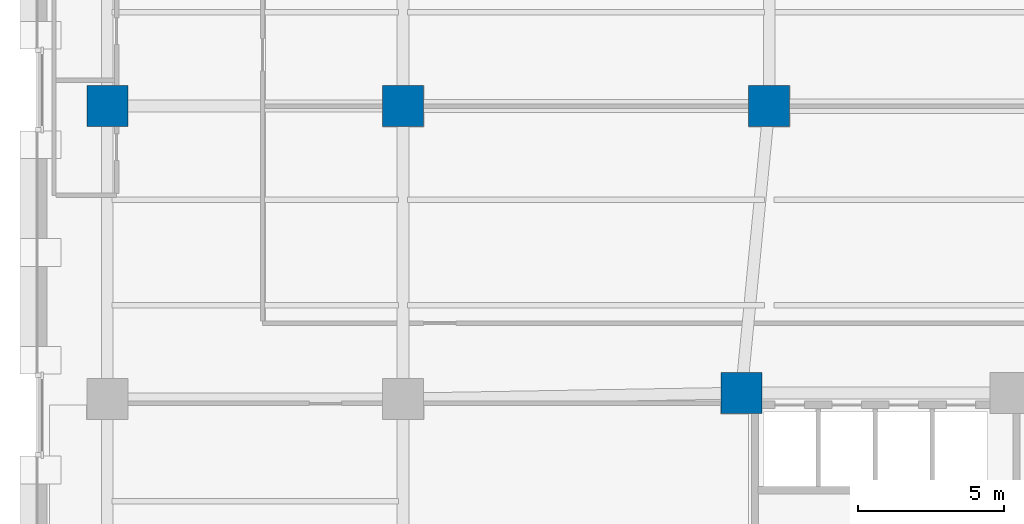
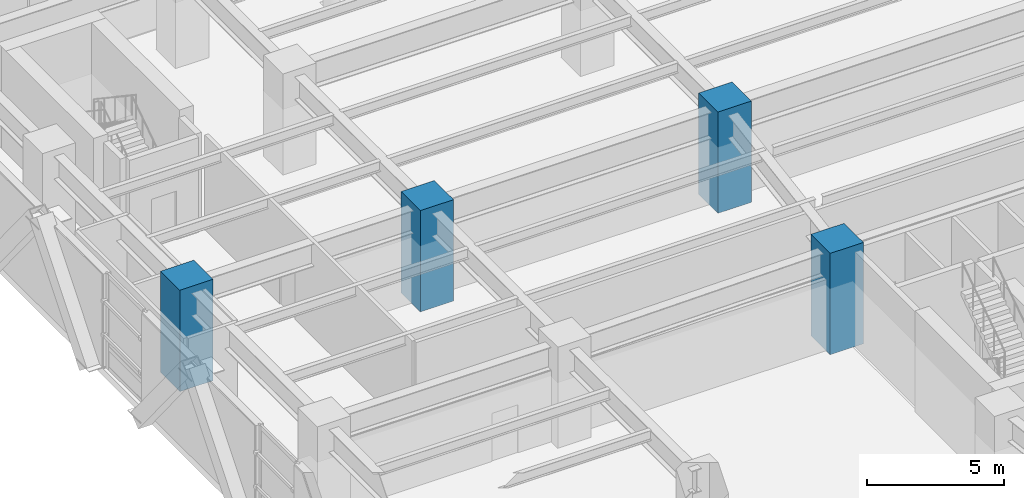
# One storey, part 2 of 26: 4 columns.
"""IFC4 building model written with IfcOpenShell, lengths in metres."""

from ifc_helpers import new_model, si_unit, direction, frame, origin, origin_2d, place, context, subcontext, project, spatial, rectangle, extrude, material, material_profile, profile_set, type_object, element, save


model = new_model("IFC4")

# Units and contexts
model_context = context("Model", 3, precision=1e-05, world=origin(), true_north=direction((0.0, 1.0)))
body_context = subcontext(model_context, "Body", "Model", "MODEL_VIEW")
ifc_project = project(units=[si_unit("LENGTHUNIT", "METRE"), si_unit("AREAUNIT", "SQUARE_METRE"), si_unit("VOLUMEUNIT", "CUBIC_METRE"), si_unit("PLANEANGLEUNIT", "RADIAN"), si_unit("MASSUNIT", "GRAM", prefix="KILO")], contexts=[model_context])

# Site, building, storey
site_placement = place(None, origin())
site = spatial("IfcSite", under=ifc_project, at=site_placement, CompositionType="ELEMENT")
building_placement = place(site_placement, origin())
building = spatial("IfcBuilding", under=site, at=building_placement, Name="Quenlor Broadcast Tower", CompositionType="ELEMENT")
storey_placement = place(building_placement, frame((0.0, 0.0, 14.0)))
storey = spatial("IfcBuildingStorey", under=building, at=storey_placement, Name="L03", CompositionType="ELEMENT", Elevation=14.0)

# Columns
ifc_material_1 = material(Name="Concrete C65/80", Category="concrete")
ifc_material_profile_1 = material_profile(ifc_material_1, rectangle(XDim=1.39990234375, YDim=1.39990234375, at=origin_2d()))
ifc_profile_set_1 = profile_set([ifc_material_profile_1], Name="Concrete C65/80 RC1400x1400")
column_type_1 = type_object("IfcColumnType", Name="Core Corner Column Lower Concrete C65/80 1400", PredefinedType="COLUMN", material=ifc_profile_set_1)
column_placement = place(storey_placement, frame((-12.949951171875, -4.800048828125, 0.0), z_axis=(0.0, 0.0, 1.0), x_axis=(1.0, 0.0, 0.0)))
element("IfcColumn", 1, at=column_placement, inside=storey, type_object=column_type_1, Name="L03 Core Column CC7", PredefinedType="COLUMN", context=body_context, shape_type="SweptSolid", body=[
    extrude(rectangle(XDim=1.39990234375, YDim=1.39990234375, at=origin_2d()), origin(), (0.0, 0.0, 1.0), 4.5),
])
ifc_material_2 = material(Name="Concrete C65/80", Category="concrete")
ifc_material_profile_2 = material_profile(ifc_material_2, rectangle(XDim=1.39990234375, YDim=1.39990234375, at=origin_2d()))
ifc_profile_set_2 = profile_set([ifc_material_profile_2], Name="Concrete C65/80 RC1400x1400")
column_type_2 = type_object("IfcColumnType", Name="Podium Mega Column Concrete C65/80 1400", PredefinedType="COLUMN", material=ifc_profile_set_2)
for number, where, z_axis, x_axis, name in (
    (2, (-34.60009765625, 5.0, 0.0), (0.0, 0.0, 1.0), (1.0, 0.0, 0.0), "L03 Podium Mega Column PM15"),
    (3, (-24.5, 5.0, 0.0), (0.0, 0.0, 1.0), (1.0, 0.0, 0.0), "L03 Podium Mega Column PM16"),
    (4, (-12.0, 5.0, 0.0), (0.0, 0.0, 1.0), (1.0, 0.0, 0.0), "L03 Podium Mega Column PM17"),
):
    element("IfcColumn", number, at=place(storey_placement, frame(where, z_axis=z_axis, x_axis=x_axis)), inside=storey, type_object=column_type_2, Name=name, PredefinedType="COLUMN", context=body_context, shape_type="SweptSolid", body=[
        extrude(rectangle(XDim=1.39990234375, YDim=1.39990234375, at=origin_2d()), origin(), (0.0, 0.0, 1.0), 4.5),
    ])

save(model, "model.ifc")
